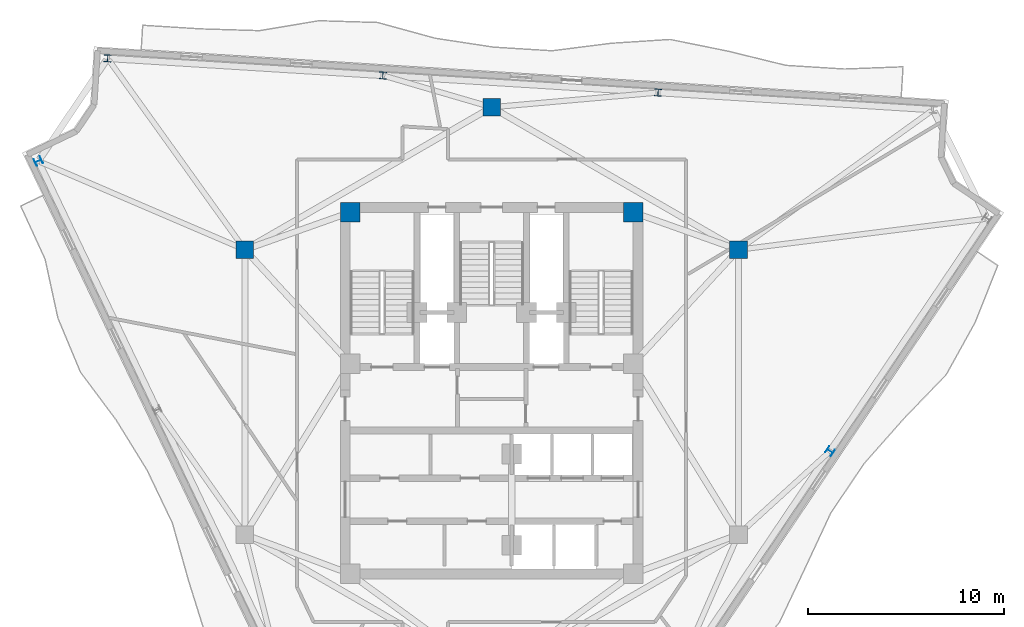
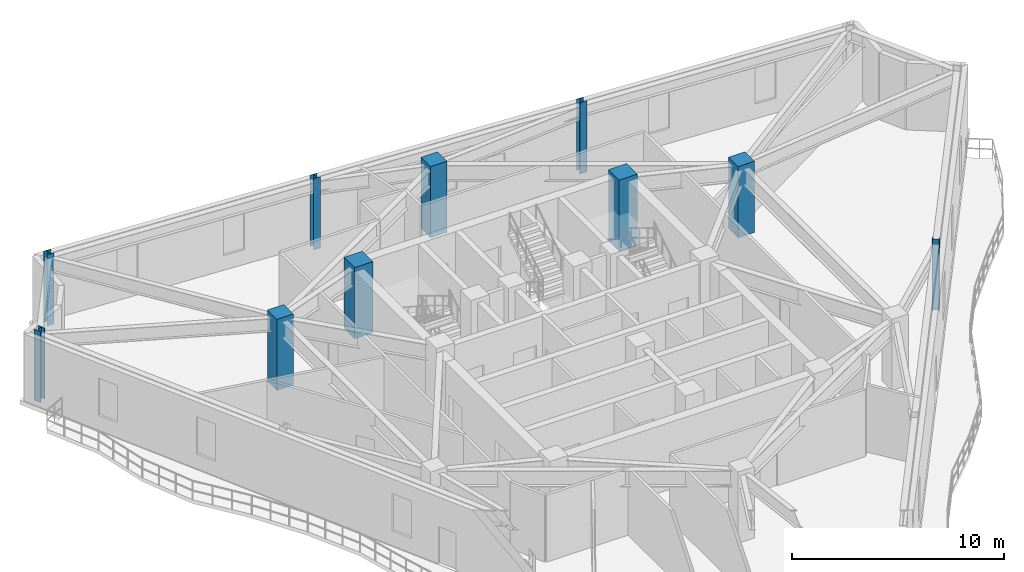
# One storey, part 2 of 10: 10 columns.
"""IFC4 building model written with IfcOpenShell, lengths in metres."""

from ifc_helpers import new_model, si_unit, direction, frame, origin, origin_2d, place, context, subcontext, project, spatial, rectangle, i_section, extrude, material, material_profile, profile_set, type_object, element, save


model = new_model("IFC4")

# Units and contexts
model_context = context("Model", 3, precision=1e-05, world=origin(), true_north=direction((0.0, 1.0)))
body_context = subcontext(model_context, "Body", "Model", "MODEL_VIEW")
ifc_project = project(units=[si_unit("LENGTHUNIT", "METRE"), si_unit("AREAUNIT", "SQUARE_METRE"), si_unit("VOLUMEUNIT", "CUBIC_METRE"), si_unit("PLANEANGLEUNIT", "RADIAN"), si_unit("MASSUNIT", "GRAM", prefix="KILO")], contexts=[model_context])

# Site, building, storey
site_placement = place(None, origin())
site = spatial("IfcSite", under=ifc_project, at=site_placement, CompositionType="ELEMENT")
building_placement = place(site_placement, origin())
building = spatial("IfcBuilding", under=site, at=building_placement, Name="Apsidion Concourse Tower", CompositionType="ELEMENT")
storey_placement = place(building_placement, frame((0.0, 0.0, 298.300048828125)))
storey = spatial("IfcBuildingStorey", under=building, at=storey_placement, Name="L70", CompositionType="ELEMENT", Elevation=298.300048828125)

# Columns
ifc_material_1 = material(Name="Concrete C50/60", Category="concrete")
ifc_material_profile_1 = material_profile(ifc_material_1, rectangle(XDim=1.0, YDim=1.0, at=origin_2d()), Name="RC 1000x1000")
ifc_profile_set_1 = profile_set([ifc_material_profile_1], Name="Concrete C50/60")
column_type_1 = type_object("IfcColumnType", Name="COL-RC-1000", PredefinedType="COLUMN", material=ifc_profile_set_1)
for number, where, z_axis, x_axis, name in (
    (1, (7.199951171875, 9.14990234375, 0.0), (0.0, 0.0, 1.0), (1.0, 0.0, 0.0), "L70 Core Super-Column SC4"),
    (2, (-7.199951171875, 9.14990234375, 0.0), (0.0, 0.0, 1.0), (1.0, 0.0, 0.0), "L70 Core Super-Column SC5"),
):
    element("IfcColumn", number, at=place(storey_placement, frame(where, z_axis=z_axis, x_axis=x_axis)), inside=storey, type_object=column_type_1, Name=name, PredefinedType="COLUMN", context=body_context, shape_type="SweptSolid", body=[
        extrude(rectangle(XDim=1.0, YDim=1.0, at=origin_2d()), origin(), (0.0, 0.0, 1.0), 4.099853515625),
    ])
ifc_material_profile_2 = material_profile(ifc_material_1, rectangle(XDim=0.89990234375, YDim=0.89990234375, at=origin_2d()), Name="RC 900x900")
ifc_profile_set_2 = profile_set([ifc_material_profile_2], Name="Concrete C50/60")
column_type_2 = type_object("IfcColumnType", Name="COL-RC-900", PredefinedType="COLUMN", material=ifc_profile_set_2)
for number, where, z_axis, x_axis, name in (
    (3, (12.56005859375, 7.25, 0.0), (0.0, 0.0, 1.0), (1.0, 0.0, 0.0), "L70 Interior Spine Column IC3"),
    (4, (0.0, 14.5, 0.0), (0.0, 0.0, 1.0), (1.0, 0.0, 0.0), "L70 Interior Spine Column IC4"),
    (5, (-12.56005859375, 7.25, 0.0), (0.0, 0.0, 1.0), (1.0, 0.0, 0.0), "L70 Interior Spine Column IC5"),
):
    element("IfcColumn", number, at=place(storey_placement, frame(where, z_axis=z_axis, x_axis=x_axis)), inside=storey, type_object=column_type_2, Name=name, PredefinedType="COLUMN", context=body_context, shape_type="SweptSolid", body=[
        extrude(rectangle(XDim=0.89990234375, YDim=0.89990234375, at=origin_2d()), origin(), (0.0, 0.0, 1.0), 4.099853515625),
    ])
ifc_material_2 = material(Name="Structural steel ASTM A992 Grade 50", Category="steel")
ifc_material_profile_3 = material_profile(ifc_material_2, i_section(OverallWidth=0.367919921875, OverallDepth=0.35595703125, WebThickness=0.01123046875, FlangeThickness=0.01806640625, at=origin_2d()), Name="W14X90")
ifc_profile_set_3 = profile_set([ifc_material_profile_3], Name="Structural steel ASTM A992 Grade 50")
column_type_3 = type_object("IfcColumnType", Name="COL-W14-90", PredefinedType="COLUMN", material=ifc_profile_set_3)
for number, where, z_axis, x_axis, name in (
    (6, (-23.0732421875, 11.758544921875, 0.0), (0.0, 0.0, 1.0), (-0.431298587031, 0.902209248913, 0.0), "L70 Rotated Perimeter Column PC01"),
    (7, (17.223876953125, -3.005615234375, 0.0), (0.0, 0.0, 1.0), (0.559192903471, 0.829037572555, 0.0), "L70 Rotated Perimeter Column PC07"),
    (8, (8.469482421875, 15.24853515625, 0.0), (0.0, 0.0, 1.0), (-0.998081143466, 0.061919553109, 0.0), "L70 Rotated Perimeter Column PC10"),
    (9, (-5.5380859375, 16.118408203125, 0.0), (0.0, 0.0, 1.0), (-0.998081143466, 0.061919553109, 0.0), "L70 Rotated Perimeter Column PC11"),
    (10, (-19.5458984375, 16.98828125, 0.0), (0.0, 0.0, 1.0), (-0.998081143466, 0.061919553109, 0.0), "L70 Rotated Perimeter Column PC12"),
):
    element("IfcColumn", number, at=place(storey_placement, frame(where, z_axis=z_axis, x_axis=x_axis)), inside=storey, type_object=column_type_3, Name=name, PredefinedType="COLUMN", context=body_context, shape_type="SweptSolid", body=[
        extrude(i_section(OverallWidth=0.367919921875, OverallDepth=0.35595703125, WebThickness=0.01123046875, FlangeThickness=0.01806640625, at=origin_2d()), origin(), (0.0, 0.0, 1.0), 4.099853515625),
    ])

save(model, "model.ifc")
